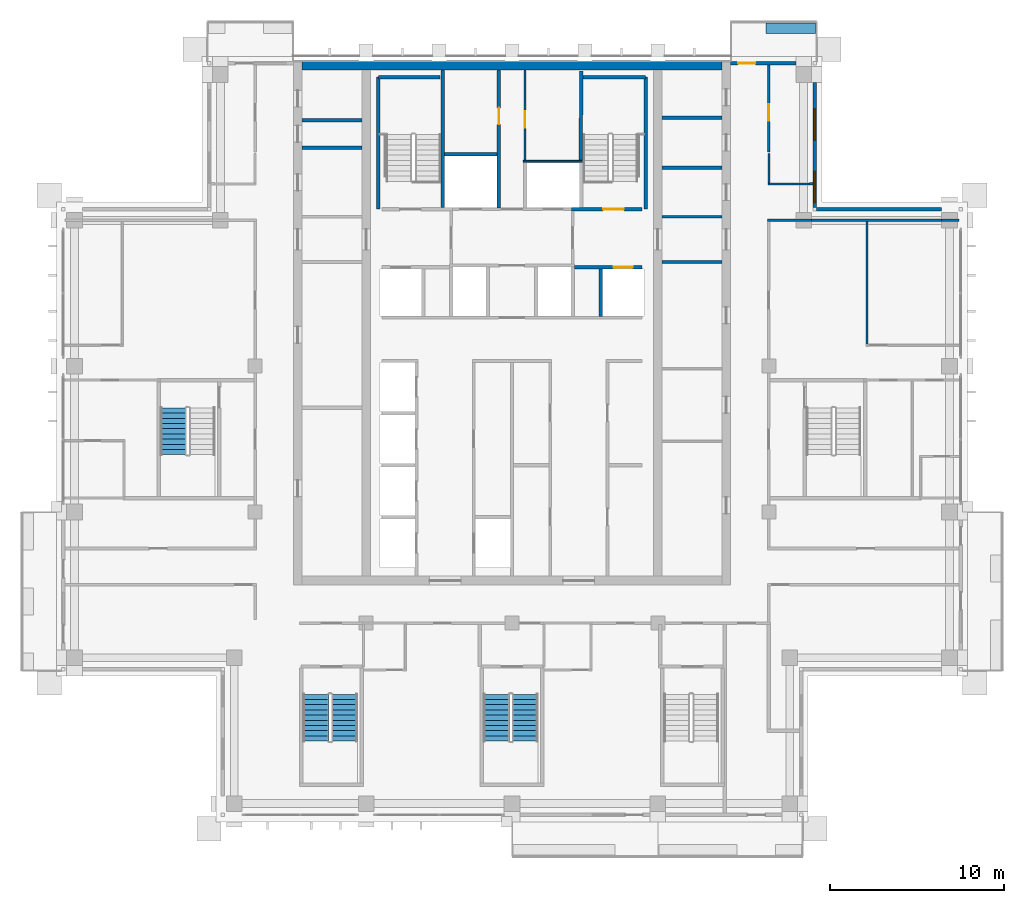
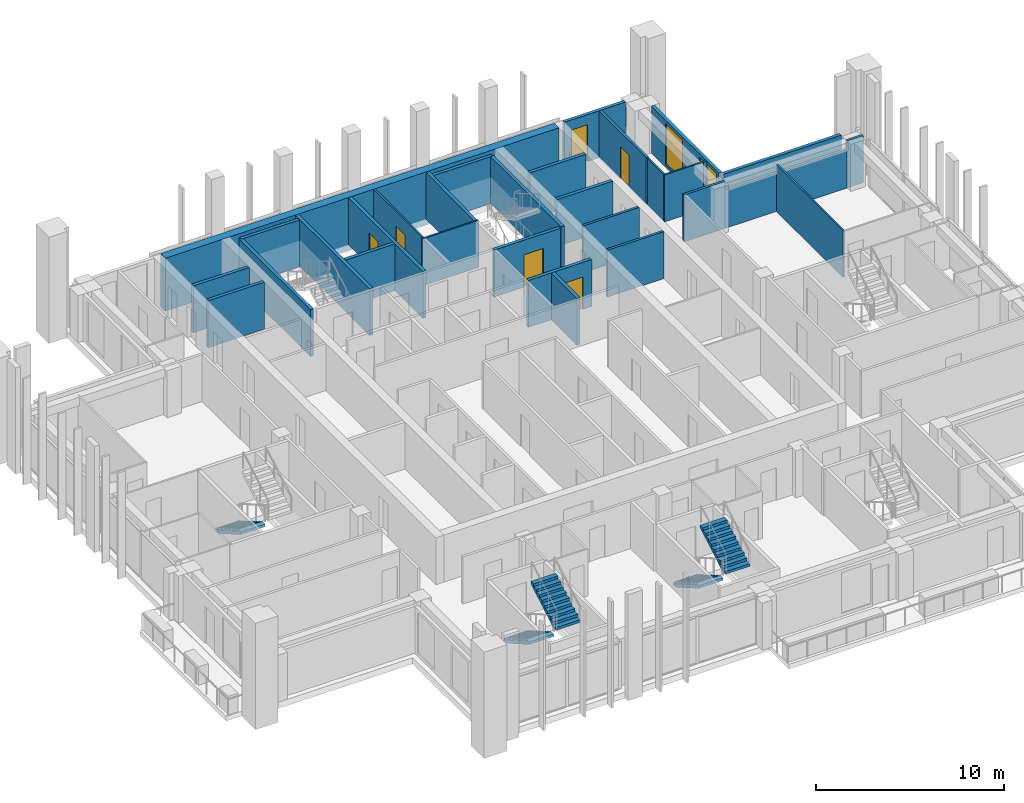
# One storey, part 13 of 18: 32 walls, 6 doors, 5 stair flights, 2 windows, 8 openings, 3 elements without a shape of their own.
"""IFC4 building model written with IfcOpenShell, lengths in metres."""

from ifc_helpers import new_model, si_unit, direction, frame, frame_2d, origin, place, context, subcontext, project, spatial, polyline, rectangle, outline, extrude, material, layer, layer_set, type_object, element, fill, aggregate, save


model = new_model("IFC4")

# Units and contexts
model_context = context("Model", 3, precision=1e-05, world=origin(), true_north=direction((0.0, 1.0)))
body_context = subcontext(model_context, "Body", "Model", "MODEL_VIEW")
ifc_project = project(units=[si_unit("LENGTHUNIT", "METRE"), si_unit("AREAUNIT", "SQUARE_METRE"), si_unit("VOLUMEUNIT", "CUBIC_METRE"), si_unit("PLANEANGLEUNIT", "RADIAN"), si_unit("MASSUNIT", "GRAM", prefix="KILO")], contexts=[model_context])

# Site, building, storey
site_placement = place(None, origin())
site = spatial("IfcSite", under=ifc_project, at=site_placement, CompositionType="ELEMENT")
building_placement = place(site_placement, origin())
building = spatial("IfcBuilding", under=site, at=building_placement, Name="Vermilion Ogive Tower", CompositionType="ELEMENT")
storey_placement = place(building_placement, frame((0.0, 0.0, 254.5)))
storey = spatial("IfcBuildingStorey", under=building, at=storey_placement, Name="L67", CompositionType="ELEMENT", Elevation=254.5)

# Walls
ifc_material_1 = material(Name="Concrete B60", Category="concrete")
ifc_layer_1 = layer(ifc_material_1, 0.5)
ifc_layer_set_1 = layer_set([ifc_layer_1], Name="Core wall 500 B60")
wall_type_1 = type_object("IfcWallType", Name="Core wall 500 B60", PredefinedType="SHEAR", material=ifc_layer_set_1)
wall_1_placement = place(storey_placement, frame((-12.10009765625, 21.5, -0.39990234375), z_axis=(0.0, 0.0, 1.0), x_axis=(1.0, 0.0, 0.0)))
element("IfcWall", 1, at=wall_1_placement, inside=storey, type_object=wall_type_1, Name="L67-CORE-N", PredefinedType="SHEAR", context=body_context, shape_type="SweptSolid", body=[
    extrude(rectangle(XDim=24.2001953125, YDim=0.5, at=frame_2d((12.10009765625, 0.0))), origin(), (0.0, 0.0, 1.0), 3.449951171875),
])
ifc_material_2 = material(Name="Gypsum board partition on steel studs", Category="steel")
ifc_layer_2 = layer(ifc_material_2, 0.10009765625)
ifc_layer_set_2 = layer_set([ifc_layer_2], Name="Partition 100 bath")
wall_type_2 = type_object("IfcWallType", Name="Partition 100 bath", PredefinedType="PARTITIONING", material=ifc_layer_set_2)
wall_2_placement = place(storey_placement, frame((14.75, 14.699951171875, 0.0), z_axis=(0.0, 0.0, 1.0), x_axis=(1.0, 0.0, 0.0)))
element("IfcWall", 2, at=wall_2_placement, inside=storey, type_object=wall_type_2, Name="L67-W-W034", PredefinedType="PARTITIONING", context=body_context, shape_type="SweptSolid", body=[
    extrude(rectangle(XDim=2.5, YDim=0.10009765625, at=frame_2d((1.25, 0.0))), origin(), (0.0, 0.0, 1.0), 3.050048828125),
])
wall_3_placement = place(storey_placement, frame((14.800048828125, 14.75, 0.0), z_axis=(0.0, 0.0, 1.0), x_axis=(0.0, 1.0, 0.0)))
element("IfcWall", 3, at=wall_3_placement, inside=storey, type_object=wall_type_2, Name="L67-W-W060", PredefinedType="PARTITIONING", context=body_context, shape_type="SweptSolid", body=[
    extrude(rectangle(XDim=1.699951171875, YDim=0.10009765625, at=frame_2d((0.85009765625, 0.0))), origin(), (0.0, 0.0, 1.0), 3.050048828125),
])
wall_4_placement = place(storey_placement, frame((0.64990234375, 16.0, 0.0), z_axis=(0.0, 0.0, 1.0), x_axis=(1.0, 0.0, 0.0)))
element("IfcWall", 4, at=wall_4_placement, inside=storey, type_object=wall_type_2, Name="L67-CK-W-W017", PredefinedType="PARTITIONING", context=body_context, shape_type="SweptSolid", body=[
    extrude(rectangle(XDim=3.4501953125, YDim=0.10009765625, at=frame_2d((1.72509765625, 0.0))), origin(), (0.0, 0.0, 1.0), 3.050048828125),
])

# Wall, opening, door
wall_5_placement = place(storey_placement, frame((0.75, 16.050048828125, 0.0), z_axis=(0.0, 0.0, 1.0), x_axis=(0.0, 1.0, 0.0)))
wall_5 = element("IfcWall", 5, at=wall_5_placement, inside=storey, type_object=wall_type_2, Name="L67-CK-W-W029", PredefinedType="PARTITIONING", context=body_context, shape_type="SweptSolid", body=[
    extrude(rectangle(XDim=5.198974609375, YDim=0.10009765625, at=frame_2d((2.599609375, 0.0))), origin(), (0.0, 0.0, 1.0), 3.050048828125),
])
opening_1_placement = place(wall_5_placement, frame((1.875, 0.0, 0.0)))
opening_1 = element("IfcOpeningElement", 6, at=opening_1_placement, cuts=wall_5, Name="Opening DAA644", PredefinedType="OPENING", context=body_context, shape_type="SweptSolid", body=[
    extrude(rectangle(XDim=0.949951171875, YDim=2.10009765625, at=frame_2d((0.47509765625, 1.050048828125))), frame((0.0, 0.06005859375, 0.0), z_axis=(0.0, -1.0, 0.0), x_axis=(1.0, 0.0, 0.0)), (0.0, 0.0, 1.0), 0.1201171875),
])
ifc_material_3 = material(Name="Timber door leaf", Category="wood")
door_type_1 = type_object("IfcDoorType", Name="Service door 950 x 2100 FD60", OperationType="SINGLE_SWING_LEFT", PredefinedType="DOOR", material=ifc_material_3)
door_1_placement = place(opening_1_placement, origin())
door_1 = element("IfcDoor", 7, at=door_1_placement, inside=storey, type_object=door_type_1, Name="L67-CK-D-D021", OperationType="SINGLE_SWING_LEFT", OverallHeight=2.10009765625, OverallWidth=0.949951171875, PredefinedType="DOOR", context=body_context, shape_type="SweptSolid", body=[
    extrude(rectangle(XDim=0.949951171875, YDim=2.10009765625, at=frame_2d((0.47509765625, 1.050048828125))), frame((0.0, 0.02490234375, 0.0), z_axis=(0.0, -1.0, 0.0), x_axis=(1.0, 0.0, 0.0)), (0.0, 0.0, 1.0), 0.050048828125),
])
fill(opening_1, door_1)

# Walls
ifc_material_4 = material(Name="Gypsum board partition on steel studs", Category="steel")
ifc_layer_3 = layer(ifc_material_4, 0.10009765625)
ifc_layer_set_3 = layer_set([ifc_layer_3], Name="Partition 100 inner")
wall_type_3 = type_object("IfcWallType", Name="Partition 100 inner", PredefinedType="PARTITIONING", material=ifc_layer_set_3)
wall_6_placement = place(storey_placement, frame((20.449951171875, 5.449951171875, 0.0), z_axis=(0.0, 0.0, 1.0), x_axis=(0.0, 1.0, 0.0)))
element("IfcWall", 8, at=wall_6_placement, inside=storey, type_object=wall_type_3, Name="L67-W-W065", PredefinedType="PARTITIONING", context=body_context, shape_type="SweptSolid", body=[
    extrude(rectangle(XDim=7.074951171875, YDim=0.10009765625, at=frame_2d((3.53759765625, 0.0))), origin(), (0.0, 0.0, 1.0), 3.050048828125),
])
ifc_material_5 = material(Name="Gypsum board partition on steel studs", Category="steel")
ifc_layer_4 = layer(ifc_material_5, 0.14990234375)
ifc_layer_set_4 = layer_set([ifc_layer_4], Name="Partition 150 corridor")
wall_type_4 = type_object("IfcWallType", Name="Partition 150 corridor", PredefinedType="PARTITIONING", material=ifc_layer_set_4)
wall_7_placement = place(storey_placement, frame((14.72509765625, 12.60009765625, 0.0), z_axis=(0.0, 0.0, 1.0), x_axis=(1.0, 0.0, 0.0)))
element("IfcWall", 9, at=wall_7_placement, inside=storey, type_object=wall_type_4, Name="L67-W-W031", PredefinedType="PARTITIONING", context=body_context, shape_type="SweptSolid", body=[
    extrude(rectangle(XDim=2.52490234375, YDim=0.14990234375, at=frame_2d((1.262451171875, 0.0))), origin(), (0.0, 0.0, 1.0), 3.050048828125),
])
wall_8_placement = place(storey_placement, frame((17.14990234375, 14.699951171875, 0.0), z_axis=(0.0, 0.0, 1.0), x_axis=(1.0, 0.0, 0.0)))
element("IfcWall", 10, at=wall_8_placement, inside=storey, type_object=wall_type_4, Name="L67-W-W035", PredefinedType="PARTITIONING", context=body_context, shape_type="SweptSolid", body=[
    extrude(rectangle(XDim=0.2001953125, YDim=0.14990234375, at=frame_2d((0.10009765625, 0.0))), origin(), (0.0, 0.0, 1.0), 3.050048828125),
])

# Wall, opening, door
wall_9_placement = place(storey_placement, frame((14.800048828125, 16.550048828125, 0.0), z_axis=(0.0, 0.0, 1.0), x_axis=(0.0, 1.0, 0.0)))
wall_9 = element("IfcWall", 11, at=wall_9_placement, inside=storey, type_object=wall_type_4, Name="L67-W-W061", PredefinedType="PARTITIONING", context=body_context, shape_type="SweptSolid", body=[
    extrude(rectangle(XDim=5.0, YDim=0.14990234375, at=frame_2d((2.5, 0.0))), origin(), (0.0, 0.0, 1.0), 3.050048828125),
])
opening_2_placement = place(wall_9_placement, frame((1.800048828125, 0.0, 0.0)))
opening_2 = element("IfcOpeningElement", 12, at=opening_2_placement, cuts=wall_9, Name="Opening D5G5019", PredefinedType="OPENING", context=body_context, shape_type="SweptSolid", body=[
    extrude(rectangle(XDim=0.949951171875, YDim=2.10009765625, at=frame_2d((0.47509765625, 1.050048828125))), frame((0.0, 0.0849609375, 0.0), z_axis=(0.0, -1.0, 0.0), x_axis=(1.0, 0.0, 0.0)), (0.0, 0.0, 1.0), 0.169921875),
])
ifc_material_6 = material(Name="Timber door leaf", Category="wood")
door_type_2 = type_object("IfcDoorType", Name="Unit door 950 x 2100 FD30S", OperationType="SINGLE_SWING_LEFT", PredefinedType="DOOR", material=ifc_material_6)
door_2_placement = place(opening_2_placement, origin())
door_2 = element("IfcDoor", 13, at=door_2_placement, inside=storey, type_object=door_type_2, Name="L67-D-D019", OperationType="SINGLE_SWING_LEFT", OverallHeight=2.10009765625, OverallWidth=0.949951171875, PredefinedType="DOOR", context=body_context, shape_type="SweptSolid", body=[
    extrude(rectangle(XDim=0.949951171875, YDim=2.10009765625, at=frame_2d((0.47509765625, 1.050048828125))), frame((0.0, 0.02490234375, 0.0), z_axis=(0.0, -1.0, 0.0), x_axis=(1.0, 0.0, 0.0)), (0.0, 0.0, 1.0), 0.050048828125),
])
fill(opening_2, door_2)

# Walls
for number, where, z_axis, x_axis, name in (
    (14, (8.65087890625, 10.199951171875, 0.0), (0.0, 0.0, 1.0), (1.0, 0.0, 0.0), "L67-CKE-W-W003"),
    (15, (8.65087890625, 12.800048828125, 0.0), (0.0, 0.0, 1.0), (1.0, 0.0, 0.0), "L67-CKE-W-W004"),
):
    element("IfcWall", number, at=place(storey_placement, frame(where, z_axis=z_axis, x_axis=x_axis)), inside=storey, type_object=wall_type_4, Name=name, PredefinedType="PARTITIONING", context=body_context, shape_type="SweptSolid", body=[
        extrude(rectangle(XDim=3.4482421875, YDim=0.14990234375, at=frame_2d((1.72412109375, 0.0))), origin(), (0.0, 0.0, 1.0), 3.050048828125),
    ])
wall_10_placement = place(storey_placement, frame((17.25, 12.60009765625, 0.0), z_axis=(0.0, 0.0, 1.0), x_axis=(1.0, 0.0, 0.0)))
element("IfcWall", 16, at=wall_10_placement, inside=storey, type_object=wall_type_4, Name="L67-W-W031-h1", PredefinedType="PARTITIONING", context=body_context, shape_type="SweptSolid", body=[
    extrude(rectangle(XDim=7.5, YDim=0.14990234375, at=frame_2d((3.75, 0.0))), origin(), (0.0, 0.0, 1.0), 2.5),
])
wall_11_placement = place(storey_placement, frame((24.75, 12.60009765625, 0.0), z_axis=(0.0, 0.0, 1.0), x_axis=(1.0, 0.0, 0.0)))
element("IfcWall", 17, at=wall_11_placement, inside=storey, type_object=wall_type_4, Name="L67-W-W031-h2", PredefinedType="PARTITIONING", context=body_context, shape_type="SweptSolid", body=[
    extrude(rectangle(XDim=1.0, YDim=0.14990234375, at=frame_2d((0.5, 0.0))), origin(), (0.0, 0.0, 1.0), 3.050048828125),
])

# Wall, opening, door
ifc_material_7 = material(Name="Gypsum board partition on steel studs", Category="steel")
ifc_layer_5 = layer(ifc_material_7, 0.199951171875)
ifc_layer_set_5 = layer_set([ifc_layer_5], Name="Partition 200 party")
wall_type_5 = type_object("IfcWallType", Name="Partition 200 party", PredefinedType="PARTITIONING", material=ifc_layer_set_5)
wall_12_placement = place(storey_placement, frame((3.60009765625, 9.89990234375, 0.0), z_axis=(0.0, 0.0, 1.0), x_axis=(1.0, 0.0, 0.0)))
wall_12 = element("IfcWall", 18, at=wall_12_placement, inside=storey, type_object=wall_type_5, Name="L67-CK-W-W012", PredefinedType="PARTITIONING", context=body_context, shape_type="SweptSolid", body=[
    extrude(rectangle(XDim=3.89990234375, YDim=0.199951171875, at=frame_2d((1.949951171875, 0.0))), origin(), (0.0, 0.0, 1.0), 3.050048828125),
])
opening_3_placement = place(wall_12_placement, frame((2.25, 0.0, 0.0)))
opening_3 = element("IfcOpeningElement", 19, at=opening_3_placement, cuts=wall_12, Name="Opening DAA653", PredefinedType="OPENING", context=body_context, shape_type="SweptSolid", body=[
    extrude(rectangle(XDim=1.10009765625, YDim=2.10009765625, at=frame_2d((0.550048828125, 1.050048828125))), frame((0.0, 0.10986328125, 0.0), z_axis=(0.0, -1.0, 0.0), x_axis=(1.0, 0.0, 0.0)), (0.0, 0.0, 1.0), 0.219970703125),
])
ifc_material_8 = material(Name="Stainless steel", Category="steel")
door_type_3 = type_object("IfcDoorType", Name="Lift landing door 1100 x 2100", OperationType="SLIDING_TO_LEFT", PredefinedType="DOOR", material=ifc_material_8)
door_3_placement = place(opening_3_placement, origin())
door_3 = element("IfcDoor", 20, at=door_3_placement, inside=storey, type_object=door_type_3, Name="L67-CK-D-D014", OperationType="SLIDING_TO_LEFT", OverallHeight=2.10009765625, OverallWidth=1.10009765625, PredefinedType="DOOR", context=body_context, shape_type="SweptSolid", body=[
    extrude(rectangle(XDim=1.10009765625, YDim=2.10009765625, at=frame_2d((0.550048828125, 1.050048828125))), frame((0.0, 0.02490234375, 0.0), z_axis=(0.0, -1.0, 0.0), x_axis=(1.0, 0.0, 0.0)), (0.0, 0.0, 1.0), 0.050048828125),
])
fill(opening_3, door_3)

# Wall
wall_13_placement = place(storey_placement, frame((-3.89990234375, 16.39990234375, 0.0), z_axis=(0.0, 0.0, 1.0), x_axis=(1.0, 0.0, 0.0)))
element("IfcWall", 21, at=wall_13_placement, inside=storey, type_object=wall_type_5, Name="L67-CK-W-W018", PredefinedType="PARTITIONING", context=body_context, shape_type="SweptSolid", body=[
    extrude(rectangle(XDim=3.0498046875, YDim=0.199951171875, at=frame_2d((1.52490234375, 0.0))), origin(), (0.0, 0.0, 1.0), 3.050048828125),
])

# Wall, opening, door
wall_14_placement = place(storey_placement, frame((-0.75, 13.324951171875, 0.0), z_axis=(0.0, 0.0, 1.0), x_axis=(0.0, 1.0, 0.0)))
wall_14 = element("IfcWall", 22, at=wall_14_placement, inside=storey, type_object=wall_type_5, Name="L67-CK-W-W026", PredefinedType="PARTITIONING", context=body_context, shape_type="SweptSolid", body=[
    extrude(rectangle(XDim=7.924072265625, YDim=0.199951171875, at=frame_2d((3.9619140625, 0.0))), origin(), (0.0, 0.0, 1.0), 3.050048828125),
])
opening_4_placement = place(wall_14_placement, frame((4.800048828125, 0.0, 0.0)))
opening_4 = element("IfcOpeningElement", 23, at=opening_4_placement, cuts=wall_14, Name="Opening DAA643", PredefinedType="OPENING", context=body_context, shape_type="SweptSolid", body=[
    extrude(rectangle(XDim=0.949951171875, YDim=2.10009765625, at=frame_2d((0.47509765625, 1.050048828125))), frame((0.0, 0.10986328125, 0.0), z_axis=(0.0, -1.0, 0.0), x_axis=(1.0, 0.0, 0.0)), (0.0, 0.0, 1.0), 0.219970703125),
])
door_4_placement = place(opening_4_placement, origin())
door_4 = element("IfcDoor", 24, at=door_4_placement, inside=storey, type_object=door_type_1, Name="L67-CK-D-D020", OperationType="SINGLE_SWING_RIGHT", OverallHeight=2.10009765625, OverallWidth=0.949951171875, PredefinedType="DOOR", context=body_context, shape_type="SweptSolid", body=[
    extrude(rectangle(XDim=0.949951171875, YDim=2.10009765625, at=frame_2d((0.47509765625, 1.050048828125))), frame((0.0, 0.02490234375, 0.0), z_axis=(0.0, -1.0, 0.0), x_axis=(1.0, 0.0, 0.0)), (0.0, 0.0, 1.0), 0.050048828125),
])
fill(opening_4, door_4)

# Walls
wall_15_placement = place(storey_placement, frame((5.10009765625, 7.074951171875, 0.0), z_axis=(0.0, 0.0, 1.0), x_axis=(0.0, 1.0, 0.0)))
element("IfcWall", 25, at=wall_15_placement, inside=storey, type_object=wall_type_5, Name="L67-CK-W-W036", PredefinedType="PARTITIONING", context=body_context, shape_type="SweptSolid", body=[
    extrude(rectangle(XDim=2.72509765625, YDim=0.199951171875, at=frame_2d((1.362548828125, 0.0))), origin(), (0.0, 0.0, 1.0), 3.050048828125),
])
for number, where, z_axis, x_axis, name in (
    (26, (-12.09912109375, 16.7880859375, 0.0), (0.0, 0.0, 1.0), (1.0, 0.0, 0.0), "L67-CKW-W-W004"),
    (27, (-12.09912109375, 18.373046875, 0.0), (0.0, 0.0, 1.0), (1.0, 0.0, 0.0), "L67-CKW-W-W005"),
    (28, (8.65087890625, 15.636962890625, 0.0), (0.0, 0.0, 1.0), (1.0, 0.0, 0.0), "L67-CKE-W-W005"),
    (29, (8.65087890625, 18.509033203125, 0.0), (0.0, 0.0, 1.0), (1.0, 0.0, 0.0), "L67-CKE-W-W006"),
):
    element("IfcWall", number, at=place(storey_placement, frame(where, z_axis=z_axis, x_axis=x_axis)), inside=storey, type_object=wall_type_5, Name=name, PredefinedType="PARTITIONING", context=body_context, shape_type="SweptSolid", body=[
        extrude(rectangle(XDim=3.4482421875, YDim=0.199951171875, at=frame_2d((1.72412109375, 0.0))), origin(), (0.0, 0.0, 1.0), 3.050048828125),
    ])

# Wall, opening, door
ifc_material_9 = material(Name="Concrete B60", Category="concrete")
ifc_layer_6 = layer(ifc_material_9, 0.199951171875)
ifc_layer_set_6 = layer_set([ifc_layer_6], Name="Stair shaft wall 200 Concrete B60")
wall_type_6 = type_object("IfcWallType", Name="Stair shaft wall 200 Concrete B60", PredefinedType="SOLIDWALL", material=ifc_layer_set_6)
wall_16_placement = place(storey_placement, frame((3.425048828125, 13.25, 0.0), z_axis=(0.0, 0.0, 1.0), x_axis=(1.0, 0.0, 0.0)))
wall_16 = element("IfcWall", 30, at=wall_16_placement, inside=storey, type_object=wall_type_6, Name="L67-CK-W-W016", PredefinedType="SOLIDWALL", context=body_context, shape_type="SweptSolid", body=[
    extrude(rectangle(XDim=4.074951171875, YDim=0.199951171875, at=frame_2d((2.03759765625, 0.0))), origin(), (0.0, 0.0, 1.0), 3.050048828125),
])
opening_5_placement = place(wall_16_placement, frame((1.824951171875, 0.0, 0.0)))
opening_5 = element("IfcOpeningElement", 31, at=opening_5_placement, cuts=wall_16, Name="Opening DAA646", PredefinedType="OPENING", context=body_context, shape_type="SweptSolid", body=[
    extrude(rectangle(XDim=1.199951171875, YDim=2.10009765625, at=frame_2d((0.60009765625, 1.050048828125))), frame((0.0, 0.10986328125, 0.0), z_axis=(0.0, -1.0, 0.0), x_axis=(1.0, 0.0, 0.0)), (0.0, 0.0, 1.0), 0.219970703125),
])
ifc_material_10 = material(Name="Timber door leaf", Category="wood")
door_type_4 = type_object("IfcDoorType", Name="Stair door 1200 x 2100 FD60S", OperationType="SINGLE_SWING_LEFT", PredefinedType="DOOR", material=ifc_material_10)
door_5_placement = place(opening_5_placement, origin())
door_5 = element("IfcDoor", 32, at=door_5_placement, inside=storey, type_object=door_type_4, Name="L67-CK-D-D013", OperationType="SINGLE_SWING_RIGHT", OverallHeight=2.10009765625, OverallWidth=1.199951171875, PredefinedType="DOOR", context=body_context, shape_type="SweptSolid", body=[
    extrude(rectangle(XDim=1.199951171875, YDim=2.10009765625, at=frame_2d((0.60009765625, 1.050048828125))), frame((0.0, 0.02490234375, 0.0), z_axis=(0.0, -1.0, 0.0), x_axis=(1.0, 0.0, 0.0)), (0.0, 0.0, 1.0), 0.050048828125),
])
fill(opening_5, door_5)

# Walls
wall_17_placement = place(storey_placement, frame((-4.0, 13.35009765625, 0.0), z_axis=(0.0, 0.0, 1.0), x_axis=(0.0, 1.0, 0.0)))
element("IfcWall", 33, at=wall_17_placement, inside=storey, type_object=wall_type_6, Name="L67-CK-W-W021", PredefinedType="SOLIDWALL", context=body_context, shape_type="SweptSolid", body=[
    extrude(rectangle(XDim=7.89892578125, YDim=0.199951171875, at=frame_2d((3.949462890625, 0.0))), origin(), (0.0, 0.0, 1.0), 3.050048828125),
])
wall_18_placement = place(storey_placement, frame((3.949951171875, 16.050048828125, 0.0), z_axis=(0.0, 0.0, 1.0), x_axis=(0.009719787395, 0.999952761751, 0.0)))
element("IfcWall", 34, at=wall_18_placement, inside=storey, type_object=wall_type_6, Name="L67-CK-W-W035", PredefinedType="SOLIDWALL", context=body_context, shape_type="SweptSolid", body=[
    extrude(rectangle(XDim=5.149169921875, YDim=0.199951171875, at=frame_2d((2.57470703125, 0.0))), origin(), (0.0, 0.0, 1.0), 3.050048828125),
])
wall_19_placement = place(storey_placement, frame((-7.699951171875, 13.25, 0.0), z_axis=(0.0, 0.0, 1.0), x_axis=(0.0, 1.0, 0.0)))
element("IfcWall", 35, at=wall_19_placement, inside=storey, type_object=wall_type_6, Name="L67-SW-R015-W1", PredefinedType="SOLIDWALL", context=body_context, shape_type="SweptSolid", body=[
    extrude(rectangle(XDim=7.60009765625, YDim=0.199951171875, at=frame_2d((3.800048828125, 0.0))), origin(), (0.0, 0.0, 1.0), 3.050048828125),
])
wall_20_placement = place(storey_placement, frame((-7.699951171875, 20.85009765625, 0.0), z_axis=(0.0, 0.0, 1.0), x_axis=(1.0, 0.0, 0.0)))
element("IfcWall", 36, at=wall_20_placement, inside=storey, type_object=wall_type_6, Name="L67-SW-R015-N1", PredefinedType="SOLIDWALL", context=body_context, shape_type="SweptSolid", body=[
    extrude(rectangle(XDim=3.550048828125, YDim=0.199951171875, at=frame_2d((1.77490234375, 0.0))), origin(), (0.0, 0.0, 1.0), 3.050048828125),
])
wall_21_placement = place(storey_placement, frame((7.699951171875, 13.25, 0.0), z_axis=(0.0, 0.0, 1.0), x_axis=(0.0, 1.0, 0.0)))
element("IfcWall", 37, at=wall_21_placement, inside=storey, type_object=wall_type_6, Name="L67-SW-R019-E1", PredefinedType="SOLIDWALL", context=body_context, shape_type="SweptSolid", body=[
    extrude(rectangle(XDim=7.60009765625, YDim=0.199951171875, at=frame_2d((3.800048828125, 0.0))), origin(), (0.0, 0.0, 1.0), 3.050048828125),
])
wall_22_placement = place(storey_placement, frame((4.10009765625, 20.85009765625, 0.0), z_axis=(0.0, 0.0, 1.0), x_axis=(1.0, 0.0, 0.0)))
element("IfcWall", 38, at=wall_22_placement, inside=storey, type_object=wall_type_6, Name="L67-SW-R019-N1", PredefinedType="SOLIDWALL", context=body_context, shape_type="SweptSolid", body=[
    extrude(rectangle(XDim=3.599853515625, YDim=0.199951171875, at=frame_2d((1.7998046875, 0.0))), origin(), (0.0, 0.0, 1.0), 3.050048828125),
])
ifc_material_11 = material(Name="Concrete B40", Category="concrete")
ifc_layer_7 = layer(ifc_material_11, 0.60009765625)
ifc_layer_set_7 = layer_set([ifc_layer_7], Name="Structural planter")
wall_type_7 = type_object("IfcWallType", Name="Structural planter", PredefinedType="USERDEFINED", material=ifc_layer_set_7)
wall_23_placement = place(storey_placement, frame((17.489990234375, 23.660888671875, -0.0400390625), z_axis=(0.0, 0.0, 1.0), x_axis=(-1.0, 0.0, 0.0)))
element("IfcWall", 39, at=wall_23_placement, inside=storey, type_object=wall_type_7, Name="Planter N101A1", ObjectType="PLANTER", PredefinedType="USERDEFINED", context=body_context, shape_type="SweptSolid", body=[
    extrude(rectangle(XDim=2.864990234375, YDim=0.60009765625, at=frame_2d((1.4326171875, 0.0))), origin(), (0.0, 0.0, 1.0), 1.199951171875),
])
ifc_material_12 = material(Name="Aluminium window wall framing", Category="aluminium")
ifc_layer_8 = layer(ifc_material_12, 0.199951171875)
ifc_layer_set_8 = layer_set([ifc_layer_8], Name="Window wall")
wall_type_8 = type_object("IfcWallType", Name="Window wall", PredefinedType="STANDARD", material=ifc_layer_set_8)
wall_24_placement = place(storey_placement, frame((24.75, 13.25, 0.0), z_axis=(0.0, 0.0, 1.0), x_axis=(-1.0, 0.0, 0.0)))
element("IfcWall", 40, at=wall_24_placement, inside=storey, type_object=wall_type_8, Name="Window wall X31", PredefinedType="STANDARD", context=body_context, shape_type="SweptSolid", body=[
    extrude(rectangle(XDim=7.199951171875, YDim=0.199951171875, at=frame_2d((3.60009765625, 0.0))), origin(), (0.0, 0.0, 1.0), 3.050048828125),
])

# Wall, openings, windows
wall_25_placement = place(storey_placement, frame((17.449951171875, 13.35009765625, 0.0), z_axis=(0.0, 0.0, 1.0), x_axis=(0.0, 1.0, 0.0)))
wall_25 = element("IfcWall", 41, at=wall_25_placement, inside=storey, type_object=wall_type_8, Name="Window wall X41", PredefinedType="STANDARD", context=body_context, shape_type="SweptSolid", body=[
    extrude(rectangle(XDim=7.199951171875, YDim=0.199951171875, at=frame_2d((3.60009765625, 0.0))), origin(), (0.0, 0.0, 1.0), 3.050048828125),
])
opening_6_placement = place(wall_25_placement, frame((0.27490234375, 0.0, 0.199951171875)))
opening_6 = element("IfcOpeningElement", 42, at=opening_6_placement, cuts=wall_25, Name="Opening W1-X403", PredefinedType="OPENING", context=body_context, shape_type="SweptSolid", body=[
    extrude(rectangle(XDim=1.800048828125, YDim=2.64990234375, at=frame_2d((0.89990234375, 1.324951171875))), frame((0.0, 0.10986328125, 0.0), z_axis=(0.0, -1.0, 0.0), x_axis=(1.0, 0.0, 0.0)), (0.0, 0.0, 1.0), 0.219970703125),
])
opening_7_placement = place(wall_25_placement, frame((3.875, 0.0, 0.199951171875)))
opening_7 = element("IfcOpeningElement", 43, at=opening_7_placement, cuts=wall_25, Name="Opening W1-X404", PredefinedType="OPENING", context=body_context, shape_type="SweptSolid", body=[
    extrude(rectangle(XDim=1.800048828125, YDim=2.64990234375, at=frame_2d((0.89990234375, 1.324951171875))), frame((0.0, 0.10986328125, 0.0), z_axis=(0.0, -1.0, 0.0), x_axis=(1.0, 0.0, 0.0)), (0.0, 0.0, 1.0), 0.219970703125),
])
ifc_material_13 = material(Name="Aluminium framed double glazing", Category="aluminium")
window_type = type_object("IfcWindowType", Name="Guest window W1", PartitioningType="SINGLE_PANEL", PredefinedType="WINDOW", material=ifc_material_13)
window_1_placement = place(opening_6_placement, origin())
window_1 = element("IfcWindow", 44, at=window_1_placement, inside=storey, type_object=window_type, Name="Window X403", OverallHeight=2.64990234375, OverallWidth=1.800048828125, PartitioningType="SINGLE_PANEL", PredefinedType="WINDOW", context=body_context, shape_type="SweptSolid", body=[
    extrude(rectangle(XDim=1.800048828125, YDim=2.64990234375, at=frame_2d((0.89990234375, 1.324951171875))), frame((0.0, 0.030029296875, 0.0), z_axis=(0.0, -1.0, 0.0), x_axis=(1.0, 0.0, 0.0)), (0.0, 0.0, 1.0), 0.06005859375),
])
fill(opening_6, window_1)
window_2_placement = place(opening_7_placement, origin())
window_2 = element("IfcWindow", 45, at=window_2_placement, inside=storey, type_object=window_type, Name="Window X404", OverallHeight=2.64990234375, OverallWidth=1.800048828125, PartitioningType="SINGLE_PANEL", PredefinedType="WINDOW", context=body_context, shape_type="SweptSolid", body=[
    extrude(rectangle(XDim=1.800048828125, YDim=2.64990234375, at=frame_2d((0.89990234375, 1.324951171875))), frame((0.0, 0.030029296875, 0.0), z_axis=(0.0, -1.0, 0.0), x_axis=(1.0, 0.0, 0.0)), (0.0, 0.0, 1.0), 0.06005859375),
])
fill(opening_7, window_2)

# Wall, opening, door
wall_26_placement = place(storey_placement, frame((16.35009765625, 21.64990234375, 0.0), z_axis=(0.0, 0.0, 1.0), x_axis=(-1.0, 0.0, 0.0)))
wall_26 = element("IfcWall", 46, at=wall_26_placement, inside=storey, type_object=wall_type_8, Name="Window wall N11", PredefinedType="STANDARD", context=body_context, shape_type="SweptSolid", body=[
    extrude(rectangle(XDim=3.75, YDim=0.199951171875, at=frame_2d((1.875, 0.0))), origin(), (0.0, 0.0, 1.0), 3.050048828125),
])
opening_8_placement = place(wall_26_placement, frame((2.324951171875, 0.0, 0.0)))
opening_8 = element("IfcOpeningElement", 47, at=opening_8_placement, cuts=wall_26, Name="Opening D1-N103", PredefinedType="OPENING", context=body_context, shape_type="SweptSolid", body=[
    extrude(rectangle(XDim=1.0, YDim=2.39990234375, at=frame_2d((0.5, 1.199951171875))), frame((0.0, 0.10986328125, 0.0), z_axis=(0.0, -1.0, 0.0), x_axis=(1.0, 0.0, 0.0)), (0.0, 0.0, 1.0), 0.219970703125),
])
ifc_material_14 = material(Name="Aluminium framed glazed door", Category="aluminium")
door_type_5 = type_object("IfcDoorType", Name="Balcony door D1", OperationType="SINGLE_SWING_LEFT", PredefinedType="DOOR", material=ifc_material_14)
door_6_placement = place(opening_8_placement, origin())
door_6 = element("IfcDoor", 48, at=door_6_placement, inside=storey, type_object=door_type_5, Name="Balcony door N103", OperationType="SINGLE_SWING_LEFT", OverallHeight=2.39990234375, OverallWidth=1.0, PredefinedType="DOOR", context=body_context, shape_type="SweptSolid", body=[
    extrude(rectangle(XDim=1.0, YDim=2.39990234375, at=frame_2d((0.5, 1.199951171875))), frame((0.0, 0.02490234375, 0.0), z_axis=(0.0, -1.0, 0.0), x_axis=(1.0, 0.0, 0.0)), (0.0, 0.0, 1.0), 0.050048828125),
])
fill(opening_8, door_6)

# Stair, stair flights
ifc_material_15 = material(Name="Concrete B40", Category="concrete")
stair_type = type_object("IfcStairType", Name="Exit stair 1500", PredefinedType="HALF_TURN_STAIR", material=ifc_material_15)
stair_1_placement = place(storey_placement, origin())
stair_1 = element("IfcStair", 49, at=stair_1_placement, inside=storey, type_object=stair_type, Name="L67 Exit Stair ST3", PredefinedType="HALF_TURN_STAIR")
ifc_material_16 = material(Name="Concrete B40", Category="concrete")
stair_flight_type = type_object("IfcStairFlightType", Name="Stair flight 1500", PredefinedType="STRAIGHT", material=ifc_material_16)
stair_flight_1_placement = place(storey_placement, frame((-11.300048828125, -14.699951171875, 0.0), z_axis=(0.0, 0.0, 1.0), x_axis=(0.0, -1.0, 0.0)))
stair_flight_1 = element("IfcStairFlight", 50, at=stair_flight_1_placement, type_object=stair_flight_type, Name="ST3 flight 1", NumberOfRisers=10, NumberOfTreads=9, PredefinedType="STRAIGHT", RiserHeight=0.1725, TreadLength=0.3, context=body_context, shape_type="SweptSolid", body=[
    extrude(outline(polyline([(0.0, 0.0), (0.0, 0.172607421875), (0.300048828125, 0.172607421875), (0.300048828125, 0.344970703125), (0.60009765625, 0.344970703125), (0.60009765625, 0.517578125), (0.89990234375, 0.517578125), (0.89990234375, 0.68994140625), (1.199951171875, 0.68994140625), (1.199951171875, 0.862548828125), (1.5, 0.862548828125), (1.5, 1.034912109375), (1.800048828125, 1.034912109375), (1.800048828125, 1.20751953125), (2.10009765625, 1.20751953125), (2.10009765625, 1.3798828125), (2.39990234375, 1.3798828125), (2.39990234375, 1.552490234375), (2.699951171875, 1.552490234375), (2.699951171875, 1.72509765625), (2.699951171875, 1.379638671875), (0.30078125, 0.0), (0.0, 0.0)])), frame((0.0, 0.75, 0.0), z_axis=(0.0, -1.0, 0.0), x_axis=(1.0, 0.0, 0.0)), (0.0, 0.0, 1.0), 1.5),
])
stair_flight_2_placement = place(storey_placement, frame((-9.64990234375, -17.39990234375, 1.72509765625), z_axis=(0.0, 0.0, 1.0), x_axis=(0.0, 1.0, 0.0)))
stair_flight_2 = element("IfcStairFlight", 51, at=stair_flight_2_placement, type_object=stair_flight_type, Name="ST3 flight 2", NumberOfRisers=10, NumberOfTreads=9, PredefinedType="STRAIGHT", RiserHeight=0.1725, TreadLength=0.3, context=body_context, shape_type="SweptSolid", body=[
    extrude(outline(polyline([(0.0, 0.0), (0.0, 0.172607421875), (0.300048828125, 0.172607421875), (0.300048828125, 0.344970703125), (0.60009765625, 0.344970703125), (0.60009765625, 0.517578125), (0.89990234375, 0.517578125), (0.89990234375, 0.68994140625), (1.199951171875, 0.68994140625), (1.199951171875, 0.862548828125), (1.5, 0.862548828125), (1.5, 1.034912109375), (1.800048828125, 1.034912109375), (1.800048828125, 1.20751953125), (2.10009765625, 1.20751953125), (2.10009765625, 1.3798828125), (2.39990234375, 1.3798828125), (2.39990234375, 1.552490234375), (2.699951171875, 1.552490234375), (2.699951171875, 1.72509765625), (2.699951171875, 1.379638671875), (0.30078125, 0.0), (0.0, 0.0)])), frame((0.0, 0.75, 0.0), z_axis=(0.0, -1.0, 0.0), x_axis=(1.0, 0.0, 0.0)), (0.0, 0.0, 1.0), 1.5),
])
aggregate(stair_1, [stair_flight_1, stair_flight_2])

stair_2_placement = place(storey_placement, origin())
stair_2 = element("IfcStair", 52, at=stair_2_placement, inside=storey, type_object=stair_type, Name="L67 Exit Stair ST4", PredefinedType="HALF_TURN_STAIR")
stair_flight_3_placement = place(storey_placement, frame((-0.89990234375, -14.699951171875, 0.0), z_axis=(0.0, 0.0, 1.0), x_axis=(0.0, -1.0, 0.0)))
stair_flight_3 = element("IfcStairFlight", 53, at=stair_flight_3_placement, type_object=stair_flight_type, Name="ST4 flight 1", NumberOfRisers=10, NumberOfTreads=9, PredefinedType="STRAIGHT", RiserHeight=0.1725, TreadLength=0.3, context=body_context, shape_type="SweptSolid", body=[
    extrude(outline(polyline([(0.0, 0.0), (0.0, 0.172607421875), (0.300048828125, 0.172607421875), (0.300048828125, 0.344970703125), (0.60009765625, 0.344970703125), (0.60009765625, 0.517578125), (0.89990234375, 0.517578125), (0.89990234375, 0.68994140625), (1.199951171875, 0.68994140625), (1.199951171875, 0.862548828125), (1.5, 0.862548828125), (1.5, 1.034912109375), (1.800048828125, 1.034912109375), (1.800048828125, 1.20751953125), (2.10009765625, 1.20751953125), (2.10009765625, 1.3798828125), (2.39990234375, 1.3798828125), (2.39990234375, 1.552490234375), (2.699951171875, 1.552490234375), (2.699951171875, 1.72509765625), (2.699951171875, 1.379638671875), (0.30078125, 0.0), (0.0, 0.0)])), frame((0.0, 0.75, 0.0), z_axis=(0.0, -1.0, 0.0), x_axis=(1.0, 0.0, 0.0)), (0.0, 0.0, 1.0), 1.5),
])
stair_flight_4_placement = place(storey_placement, frame((0.75, -17.39990234375, 1.72509765625), z_axis=(0.0, 0.0, 1.0), x_axis=(0.0, 1.0, 0.0)))
stair_flight_4 = element("IfcStairFlight", 54, at=stair_flight_4_placement, type_object=stair_flight_type, Name="ST4 flight 2", NumberOfRisers=10, NumberOfTreads=9, PredefinedType="STRAIGHT", RiserHeight=0.1725, TreadLength=0.3, context=body_context, shape_type="SweptSolid", body=[
    extrude(outline(polyline([(0.0, 0.0), (0.0, 0.172607421875), (0.300048828125, 0.172607421875), (0.300048828125, 0.344970703125), (0.60009765625, 0.344970703125), (0.60009765625, 0.517578125), (0.89990234375, 0.517578125), (0.89990234375, 0.68994140625), (1.199951171875, 0.68994140625), (1.199951171875, 0.862548828125), (1.5, 0.862548828125), (1.5, 1.034912109375), (1.800048828125, 1.034912109375), (1.800048828125, 1.20751953125), (2.10009765625, 1.20751953125), (2.10009765625, 1.3798828125), (2.39990234375, 1.3798828125), (2.39990234375, 1.552490234375), (2.699951171875, 1.552490234375), (2.699951171875, 1.72509765625), (2.699951171875, 1.379638671875), (0.30078125, 0.0), (0.0, 0.0)])), frame((0.0, 0.75, 0.0), z_axis=(0.0, -1.0, 0.0), x_axis=(1.0, 0.0, 0.0)), (0.0, 0.0, 1.0), 1.5),
])
aggregate(stair_2, [stair_flight_3, stair_flight_4])

# Stair, stair flight
stair_3_placement = place(storey_placement, origin())
stair_3 = element("IfcStair", 55, at=stair_3_placement, inside=storey, type_object=stair_type, Name="L67 Exit Stair ST9", PredefinedType="HALF_TURN_STAIR")
stair_flight_5_placement = place(storey_placement, frame((-19.5, 1.800048828125, 0.0), z_axis=(0.0, 0.0, 1.0), x_axis=(0.0, -1.0, 0.0)))
stair_flight_5 = element("IfcStairFlight", 56, at=stair_flight_5_placement, type_object=stair_flight_type, Name="ST9 flight 1", NumberOfRisers=10, NumberOfTreads=9, PredefinedType="STRAIGHT", RiserHeight=0.1725, TreadLength=0.3, context=body_context, shape_type="SweptSolid", body=[
    extrude(outline(polyline([(0.0, 0.0), (0.0, 0.172607421875), (0.300048828125, 0.172607421875), (0.300048828125, 0.344970703125), (0.60009765625, 0.344970703125), (0.60009765625, 0.517578125), (0.89990234375, 0.517578125), (0.89990234375, 0.68994140625), (1.199951171875, 0.68994140625), (1.199951171875, 0.862548828125), (1.5, 0.862548828125), (1.5, 1.034912109375), (1.800048828125, 1.034912109375), (1.800048828125, 1.20751953125), (2.10009765625, 1.20751953125), (2.10009765625, 1.3798828125), (2.39990234375, 1.3798828125), (2.39990234375, 1.552490234375), (2.699951171875, 1.552490234375), (2.699951171875, 1.72509765625), (2.699951171875, 1.379638671875), (0.30078125, 0.0), (0.0, 0.0)])), frame((0.0, 0.75, 0.0), z_axis=(0.0, -1.0, 0.0), x_axis=(1.0, 0.0, 0.0)), (0.0, 0.0, 1.0), 1.5),
])
aggregate(stair_3, [stair_flight_5])

save(model, "model.ifc")
